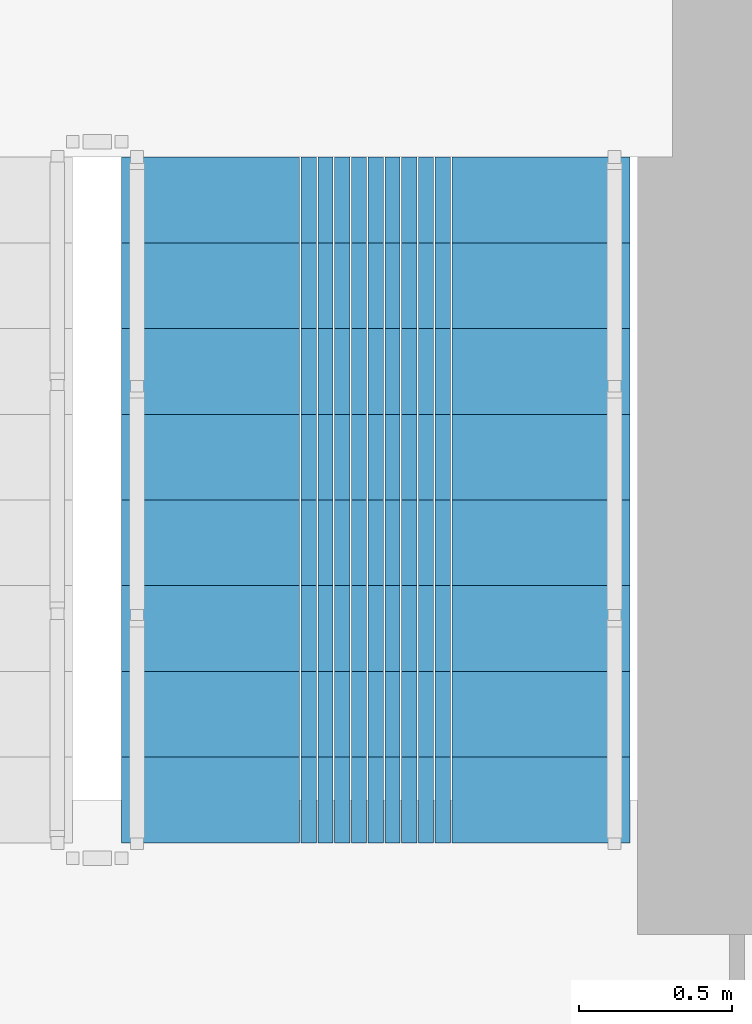
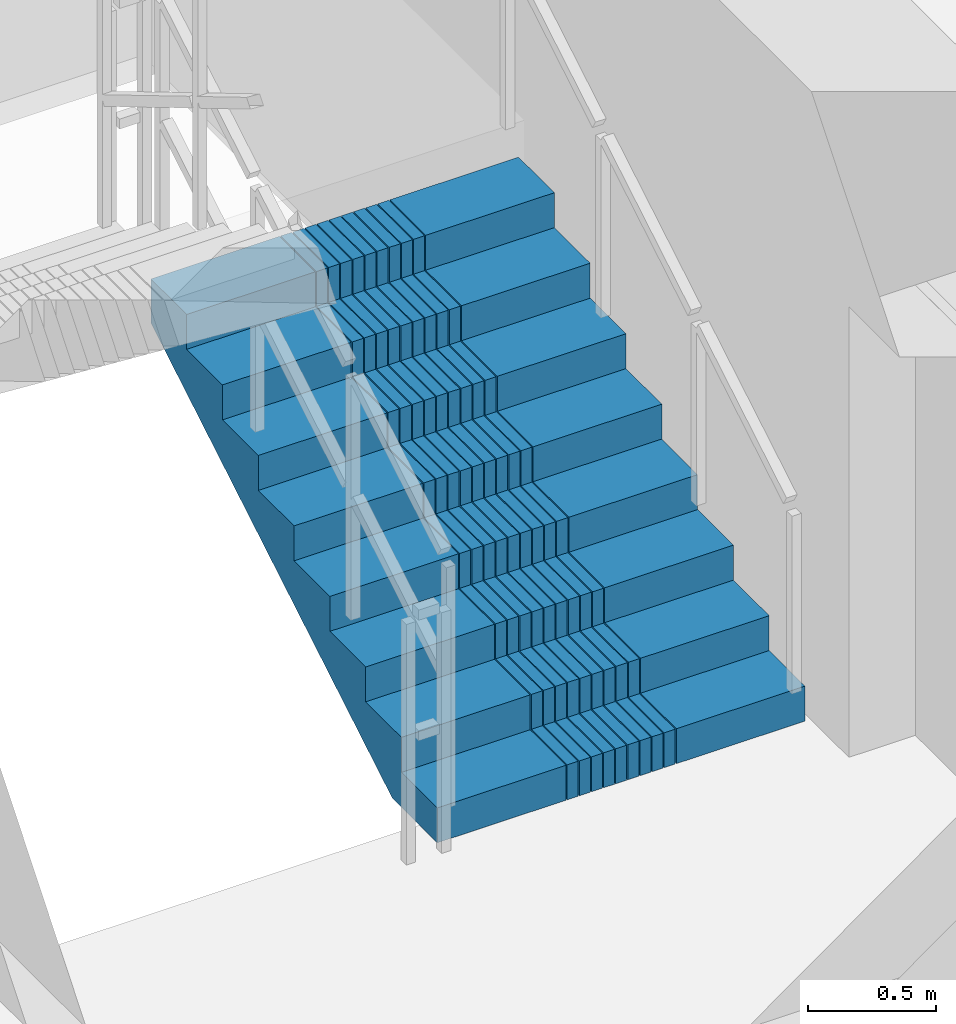
# One storey, part 10 of 16: 1 stair flight, 1 element without a shape of its own.
"""IFC4 building model written with IfcOpenShell, lengths in metres."""

from ifc_helpers import new_model, si_unit, direction, frame, origin, place, context, subcontext, project, spatial, polyline, outline, extrude, material, type_object, element, aggregate, save


model = new_model("IFC4")

# Units and contexts
model_context = context("Model", 3, precision=1e-05, world=origin(), true_north=direction((0.0, 1.0)))
body_context = subcontext(model_context, "Body", "Model", "MODEL_VIEW")
ifc_project = project(units=[si_unit("LENGTHUNIT", "METRE"), si_unit("AREAUNIT", "SQUARE_METRE"), si_unit("VOLUMEUNIT", "CUBIC_METRE"), si_unit("PLANEANGLEUNIT", "RADIAN"), si_unit("MASSUNIT", "GRAM", prefix="KILO")], contexts=[model_context])

# Site, building, storey
site_placement = place(None, origin())
site = spatial("IfcSite", under=ifc_project, at=site_placement, CompositionType="ELEMENT")
building_placement = place(site_placement, origin())
building = spatial("IfcBuilding", under=site, at=building_placement, Name="Saelheon Loggia Tower", CompositionType="ELEMENT")
storey_placement = place(building_placement, frame((0.0, 0.0, 31.39990234375)))
storey = spatial("IfcBuildingStorey", under=building, at=storey_placement, Name="L09", CompositionType="ELEMENT", Elevation=31.39990234375)

# Stair, stair flight
ifc_material = material(Name="Concrete C40/50", Category="concrete")
stair_type = type_object("IfcStairType", Name="Stair_Escape_Core", PredefinedType="HALF_TURN_STAIR", material=ifc_material)
stair_placement = place(storey_placement, origin())
stair = element("IfcStair", 1, at=stair_placement, inside=storey, type_object=stair_type, Name="L09 Special Escape Stair ST2", PredefinedType="HALF_TURN_STAIR")
stair_flight_type = type_object("IfcStairFlightType", Name="StairFlight_Tower_1660", PredefinedType="STRAIGHT", material=ifc_material)
stair_flight_placement = place(storey_placement, frame((43.320068359375, 30.449951171875, 0.0), z_axis=(0.0, 0.0, 1.0), x_axis=(0.0, 1.0, 0.0)))
stair_flight = element("IfcStairFlight", 2, at=stair_flight_placement, type_object=stair_flight_type, Name="ST2 flight 1", NumberOfRisers=9, NumberOfTreads=8, PredefinedType="STRAIGHT", RiserHeight=0.166666667, TreadLength=0.28, context=body_context, shape_type="SweptSolid", body=[
    extrude(outline(polyline([(0.0, 0.0), (0.0, 0.166748046875), (0.280029296875, 0.166748046875), (0.280029296875, 0.333251953125), (0.56005859375, 0.333251953125), (0.56005859375, 0.5), (0.840087890625, 0.5), (0.840087890625, 0.666748046875), (1.1201171875, 0.666748046875), (1.1201171875, 0.833251953125), (1.39990234375, 0.833251953125), (1.39990234375, 1.0), (1.679931640625, 1.0), (1.679931640625, 1.166748046875), (1.9599609375, 1.166748046875), (1.9599609375, 1.333251953125), (2.239990234375, 1.333251953125), (2.239990234375, 1.5), (2.239990234375, 1.1240234375), (0.351806640625, 0.0), (0.0, 0.0)])), frame((0.0, -0.2490234375, 0.0), z_axis=(0.0, -1.0, 0.0), x_axis=(1.0, 0.0, 0.0)), (0.0, 0.0, 1.0), 0.5810546875),
    extrude(outline(polyline([(0.0, 0.0), (0.0, 0.166748046875), (0.280029296875, 0.166748046875), (0.280029296875, 0.333251953125), (0.56005859375, 0.333251953125), (0.56005859375, 0.5), (0.840087890625, 0.5), (0.840087890625, 0.666748046875), (1.1201171875, 0.666748046875), (1.1201171875, 0.833251953125), (1.39990234375, 0.833251953125), (1.39990234375, 1.0), (1.679931640625, 1.0), (1.679931640625, 1.166748046875), (1.9599609375, 1.166748046875), (1.9599609375, 1.333251953125), (2.239990234375, 1.333251953125), (2.239990234375, 1.5), (2.239990234375, 1.1240234375), (0.351806640625, 0.0), (0.0, 0.0)])), frame((0.0, -0.194091796875, 0.0), z_axis=(0.0, -1.0, 0.0), x_axis=(1.0, 0.0, 0.0)), (0.0, 0.0, 1.0), 0.0498046875),
    extrude(outline(polyline([(0.0, 0.0), (0.0, 0.166748046875), (0.280029296875, 0.166748046875), (0.280029296875, 0.333251953125), (0.56005859375, 0.333251953125), (0.56005859375, 0.5), (0.840087890625, 0.5), (0.840087890625, 0.666748046875), (1.1201171875, 0.666748046875), (1.1201171875, 0.833251953125), (1.39990234375, 0.833251953125), (1.39990234375, 1.0), (1.679931640625, 1.0), (1.679931640625, 1.166748046875), (1.9599609375, 1.166748046875), (1.9599609375, 1.333251953125), (2.239990234375, 1.333251953125), (2.239990234375, 1.5), (2.239990234375, 1.1240234375), (0.351806640625, 0.0), (0.0, 0.0)])), frame((0.0, -0.139404296875, 0.0), z_axis=(0.0, -1.0, 0.0), x_axis=(1.0, 0.0, 0.0)), (0.0, 0.0, 1.0), 0.0498046875),
    extrude(outline(polyline([(0.0, 0.0), (0.0, 0.166748046875), (0.280029296875, 0.166748046875), (0.280029296875, 0.333251953125), (0.56005859375, 0.333251953125), (0.56005859375, 0.5), (0.840087890625, 0.5), (0.840087890625, 0.666748046875), (1.1201171875, 0.666748046875), (1.1201171875, 0.833251953125), (1.39990234375, 0.833251953125), (1.39990234375, 1.0), (1.679931640625, 1.0), (1.679931640625, 1.166748046875), (1.9599609375, 1.166748046875), (1.9599609375, 1.333251953125), (2.239990234375, 1.333251953125), (2.239990234375, 1.5), (2.239990234375, 1.1240234375), (0.351806640625, 0.0), (0.0, 0.0)])), frame((0.0, -0.084716796875, 0.0), z_axis=(0.0, -1.0, 0.0), x_axis=(1.0, 0.0, 0.0)), (0.0, 0.0, 1.0), 0.0498046875),
    extrude(outline(polyline([(0.0, 0.0), (0.0, 0.166748046875), (0.280029296875, 0.166748046875), (0.280029296875, 0.333251953125), (0.56005859375, 0.333251953125), (0.56005859375, 0.5), (0.840087890625, 0.5), (0.840087890625, 0.666748046875), (1.1201171875, 0.666748046875), (1.1201171875, 0.833251953125), (1.39990234375, 0.833251953125), (1.39990234375, 1.0), (1.679931640625, 1.0), (1.679931640625, 1.166748046875), (1.9599609375, 1.166748046875), (1.9599609375, 1.333251953125), (2.239990234375, 1.333251953125), (2.239990234375, 1.5), (2.239990234375, 1.1240234375), (0.351806640625, 0.0), (0.0, 0.0)])), frame((0.0, -0.02978515625, 0.0), z_axis=(0.0, -1.0, 0.0), x_axis=(1.0, 0.0, 0.0)), (0.0, 0.0, 1.0), 0.0498046875),
    extrude(outline(polyline([(0.0, 0.0), (0.0, 0.166748046875), (0.280029296875, 0.166748046875), (0.280029296875, 0.333251953125), (0.56005859375, 0.333251953125), (0.56005859375, 0.5), (0.840087890625, 0.5), (0.840087890625, 0.666748046875), (1.1201171875, 0.666748046875), (1.1201171875, 0.833251953125), (1.39990234375, 0.833251953125), (1.39990234375, 1.0), (1.679931640625, 1.0), (1.679931640625, 1.166748046875), (1.9599609375, 1.166748046875), (1.9599609375, 1.333251953125), (2.239990234375, 1.333251953125), (2.239990234375, 1.5), (2.239990234375, 1.1240234375), (0.351806640625, 0.0), (0.0, 0.0)])), frame((0.0, 0.02490234375, 0.0), z_axis=(0.0, -1.0, 0.0), x_axis=(1.0, 0.0, 0.0)), (0.0, 0.0, 1.0), 0.0498046875),
    extrude(outline(polyline([(0.0, 0.0), (0.0, 0.166748046875), (0.280029296875, 0.166748046875), (0.280029296875, 0.333251953125), (0.56005859375, 0.333251953125), (0.56005859375, 0.5), (0.840087890625, 0.5), (0.840087890625, 0.666748046875), (1.1201171875, 0.666748046875), (1.1201171875, 0.833251953125), (1.39990234375, 0.833251953125), (1.39990234375, 1.0), (1.679931640625, 1.0), (1.679931640625, 1.166748046875), (1.9599609375, 1.166748046875), (1.9599609375, 1.333251953125), (2.239990234375, 1.333251953125), (2.239990234375, 1.5), (2.239990234375, 1.1240234375), (0.351806640625, 0.0), (0.0, 0.0)])), frame((0.0, 0.07958984375, 0.0), z_axis=(0.0, -1.0, 0.0), x_axis=(1.0, 0.0, 0.0)), (0.0, 0.0, 1.0), 0.0498046875),
    extrude(outline(polyline([(0.0, 0.0), (0.0, 0.166748046875), (0.280029296875, 0.166748046875), (0.280029296875, 0.333251953125), (0.56005859375, 0.333251953125), (0.56005859375, 0.5), (0.840087890625, 0.5), (0.840087890625, 0.666748046875), (1.1201171875, 0.666748046875), (1.1201171875, 0.833251953125), (1.39990234375, 0.833251953125), (1.39990234375, 1.0), (1.679931640625, 1.0), (1.679931640625, 1.166748046875), (1.9599609375, 1.166748046875), (1.9599609375, 1.333251953125), (2.239990234375, 1.333251953125), (2.239990234375, 1.5), (2.239990234375, 1.1240234375), (0.351806640625, 0.0), (0.0, 0.0)])), frame((0.0, 0.134521484375, 0.0), z_axis=(0.0, -1.0, 0.0), x_axis=(1.0, 0.0, 0.0)), (0.0, 0.0, 1.0), 0.0498046875),
    extrude(outline(polyline([(0.0, 0.0), (0.0, 0.166748046875), (0.280029296875, 0.166748046875), (0.280029296875, 0.333251953125), (0.56005859375, 0.333251953125), (0.56005859375, 0.5), (0.840087890625, 0.5), (0.840087890625, 0.666748046875), (1.1201171875, 0.666748046875), (1.1201171875, 0.833251953125), (1.39990234375, 0.833251953125), (1.39990234375, 1.0), (1.679931640625, 1.0), (1.679931640625, 1.166748046875), (1.9599609375, 1.166748046875), (1.9599609375, 1.333251953125), (2.239990234375, 1.333251953125), (2.239990234375, 1.5), (2.239990234375, 1.1240234375), (0.351806640625, 0.0), (0.0, 0.0)])), frame((0.0, 0.189208984375, 0.0), z_axis=(0.0, -1.0, 0.0), x_axis=(1.0, 0.0, 0.0)), (0.0, 0.0, 1.0), 0.0498046875),
    extrude(outline(polyline([(0.0, 0.0), (0.0, 0.166748046875), (0.280029296875, 0.166748046875), (0.280029296875, 0.333251953125), (0.56005859375, 0.333251953125), (0.56005859375, 0.5), (0.840087890625, 0.5), (0.840087890625, 0.666748046875), (1.1201171875, 0.666748046875), (1.1201171875, 0.833251953125), (1.39990234375, 0.833251953125), (1.39990234375, 1.0), (1.679931640625, 1.0), (1.679931640625, 1.166748046875), (1.9599609375, 1.166748046875), (1.9599609375, 1.333251953125), (2.239990234375, 1.333251953125), (2.239990234375, 1.5), (2.239990234375, 1.1240234375), (0.351806640625, 0.0), (0.0, 0.0)])), frame((0.0, 0.243896484375, 0.0), z_axis=(0.0, -1.0, 0.0), x_axis=(1.0, 0.0, 0.0)), (0.0, 0.0, 1.0), 0.0498046875),
    extrude(outline(polyline([(0.0, 0.0), (0.0, 0.166748046875), (0.280029296875, 0.166748046875), (0.280029296875, 0.333251953125), (0.56005859375, 0.333251953125), (0.56005859375, 0.5), (0.840087890625, 0.5), (0.840087890625, 0.666748046875), (1.1201171875, 0.666748046875), (1.1201171875, 0.833251953125), (1.39990234375, 0.833251953125), (1.39990234375, 1.0), (1.679931640625, 1.0), (1.679931640625, 1.166748046875), (1.9599609375, 1.166748046875), (1.9599609375, 1.333251953125), (2.239990234375, 1.333251953125), (2.239990234375, 1.5), (2.239990234375, 1.1240234375), (0.351806640625, 0.0), (0.0, 0.0)])), frame((0.0, 0.830078125, 0.0), z_axis=(0.0, -1.0, 0.0), x_axis=(1.0, 0.0, 0.0)), (0.0, 0.0, 1.0), 0.5810546875),
])
aggregate(stair, [stair_flight])

save(model, "model.ifc")
